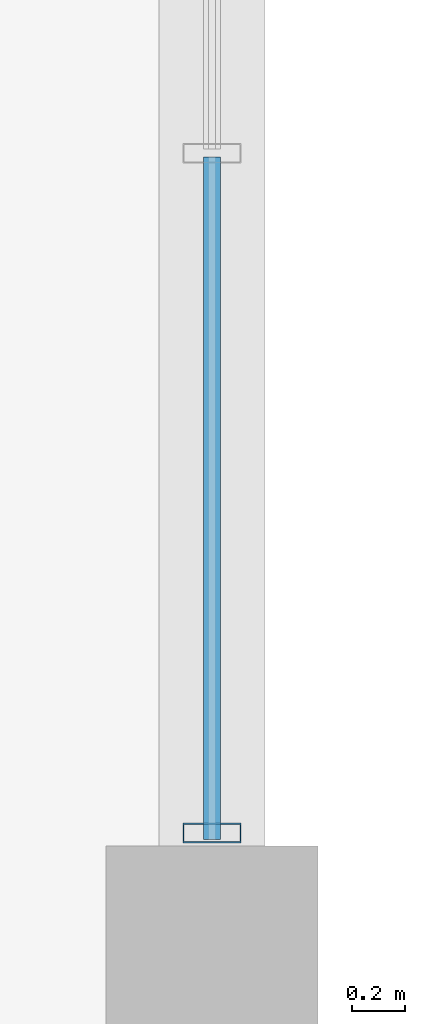
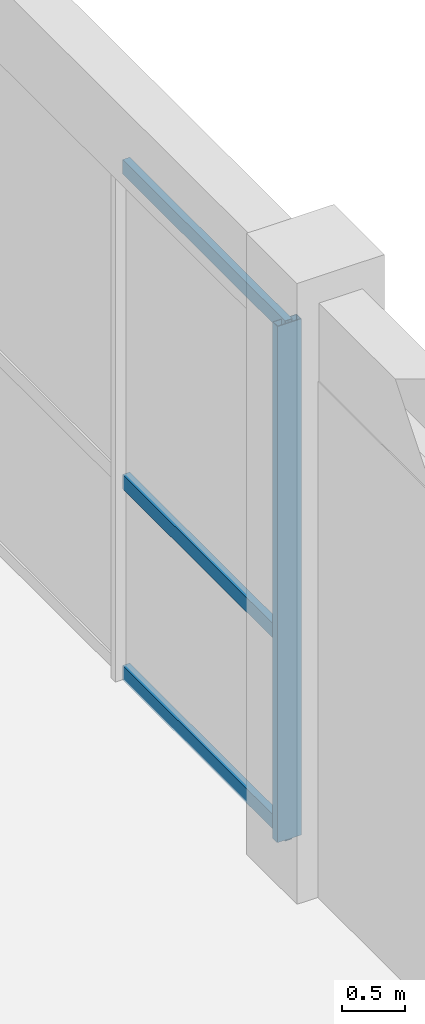
# One storey, part 59 of 106: 4 members, 1 element without a shape of its own.
"""IFC4 building model written with IfcOpenShell, lengths in metres."""

from ifc_helpers import new_model, si_unit, direction, frame, origin, origin_2d, place, context, subcontext, project, spatial, hollow_rectangle, extrude, material, material_profile, profile_set, type_object, element, aggregate, save


model = new_model("IFC4")

# Units and contexts
model_context = context("Model", 3, precision=1e-05, world=origin(), true_north=direction((0.0, 1.0)))
body_context = subcontext(model_context, "Body", "Model", "MODEL_VIEW")
ifc_project = project(units=[si_unit("LENGTHUNIT", "METRE"), si_unit("AREAUNIT", "SQUARE_METRE"), si_unit("VOLUMEUNIT", "CUBIC_METRE"), si_unit("PLANEANGLEUNIT", "RADIAN"), si_unit("MASSUNIT", "GRAM", prefix="KILO"), si_unit("THERMODYNAMICTEMPERATUREUNIT", "KELVIN"), si_unit("POWERUNIT", "WATT")], contexts=[model_context])

# Site, building, storey
site_placement = place(None, origin())
site = spatial("IfcSite", under=ifc_project, at=site_placement, CompositionType="ELEMENT")
building_placement = place(site_placement, origin())
building = spatial("IfcBuilding", under=site, at=building_placement, Name="Phaisarnlok Congress Hotel", CompositionType="ELEMENT")
storey_placement = place(building_placement, origin())
storey = spatial("IfcBuildingStorey", under=building, at=storey_placement, Name="L00", CompositionType="ELEMENT", Elevation=0.0)

# Curtain wall, members
ifc_material_1 = material(Name="Thermally Broken Unitised Aluminium & Low-E Glazing", Category="aluminium")
curtain_wall_type = type_object("IfcCurtainWallType", Name="CW-UNIT-03", PredefinedType="NOTDEFINED", material=ifc_material_1)
curtain_wall_placement = place(storey_placement, origin())
curtain_wall = element("IfcCurtainWall", 1, at=curtain_wall_placement, inside=storey, type_object=curtain_wall_type, Name="Unitised curtain wall CW-03 (L00)", PredefinedType="NOTDEFINED")
ifc_material_2 = material(Name="Anodised Aluminium Alloy 6063-T6", Category="aluminium")
ifc_material_profile_1 = material_profile(ifc_material_2, hollow_rectangle(XDim=0.074951171875, YDim=0.219970703125, WallThickness=0.0048828125, at=origin_2d()), Name="ALU-M 75x220x5")
ifc_profile_set_1 = profile_set([ifc_material_profile_1], Name="Anodised Aluminium Alloy 6063-T6")
member_type_1 = type_object("IfcMemberType", Name="CWM-220", PredefinedType="MULLION", material=ifc_profile_set_1)
member_1_placement = place(storey_placement, frame((180.0, 60.449951171875, 0.0), z_axis=(0.0, 0.0, 1.0), x_axis=(0.0, 1.0, 0.0)))
member_1 = element("IfcMember", 2, at=member_1_placement, type_object=member_type_1, Name="Curtain wall mullion CWM-02", PredefinedType="MULLION", context=body_context, shape_type="SweptSolid", body=[
    extrude(hollow_rectangle(XDim=0.074951171875, YDim=0.219970703125, WallThickness=0.0048828125, at=origin_2d()), origin(), (0.0, 0.0, 1.0), 4.989990234375),
])
ifc_material_profile_2 = material_profile(ifc_material_2, hollow_rectangle(XDim=0.06494140625, YDim=0.139892578125, WallThickness=0.00390625, at=origin_2d()), Name="ALU-T 65x140x4")
ifc_profile_set_2 = profile_set([ifc_material_profile_2], Name="Anodised Aluminium Alloy 6063-T6")
member_type_2 = type_object("IfcMemberType", Name="CWT-150", PredefinedType="USERDEFINED", material=ifc_profile_set_2)
member_2_placement = place(storey_placement, frame((180.0, 60.425048828125, 0.050048828125), z_axis=(0.0, 1.0, 0.0), x_axis=(-1.0, 0.0, 0.0)))
member_2 = element("IfcMember", 3, at=member_2_placement, type_object=member_type_2, Name="Curtain wall transom CWT-01", ObjectType="TRANSOM", PredefinedType="USERDEFINED", context=body_context, shape_type="SweptSolid", body=[
    extrude(hollow_rectangle(XDim=0.06494140625, YDim=0.139892578125, WallThickness=0.00390625, at=origin_2d()), origin(), (0.0, 0.0, 1.0), 2.572509765625),
])
member_3_placement = place(storey_placement, frame((180.0, 60.425048828125, 1.896240234375), z_axis=(0.0, 1.0, 0.0), x_axis=(-1.0, 0.0, 0.0)))
member_3 = element("IfcMember", 4, at=member_3_placement, type_object=member_type_2, Name="Curtain wall transom CWT-01", ObjectType="TRANSOM", PredefinedType="USERDEFINED", context=body_context, shape_type="SweptSolid", body=[
    extrude(hollow_rectangle(XDim=0.06494140625, YDim=0.139892578125, WallThickness=0.00390625, at=origin_2d()), origin(), (0.0, 0.0, 1.0), 2.572509765625),
])
member_4_placement = place(storey_placement, frame((180.0, 60.425048828125, 4.93994140625), z_axis=(0.0, 1.0, 0.0), x_axis=(-1.0, 0.0, 0.0)))
member_4 = element("IfcMember", 5, at=member_4_placement, type_object=member_type_2, Name="Curtain wall transom CWT-01", ObjectType="TRANSOM", PredefinedType="USERDEFINED", context=body_context, shape_type="SweptSolid", body=[
    extrude(hollow_rectangle(XDim=0.06494140625, YDim=0.139892578125, WallThickness=0.00390625, at=origin_2d()), origin(), (0.0, 0.0, 1.0), 2.572509765625),
])
aggregate(curtain_wall, [member_1, member_2, member_3, member_4])

save(model, "model.ifc")
